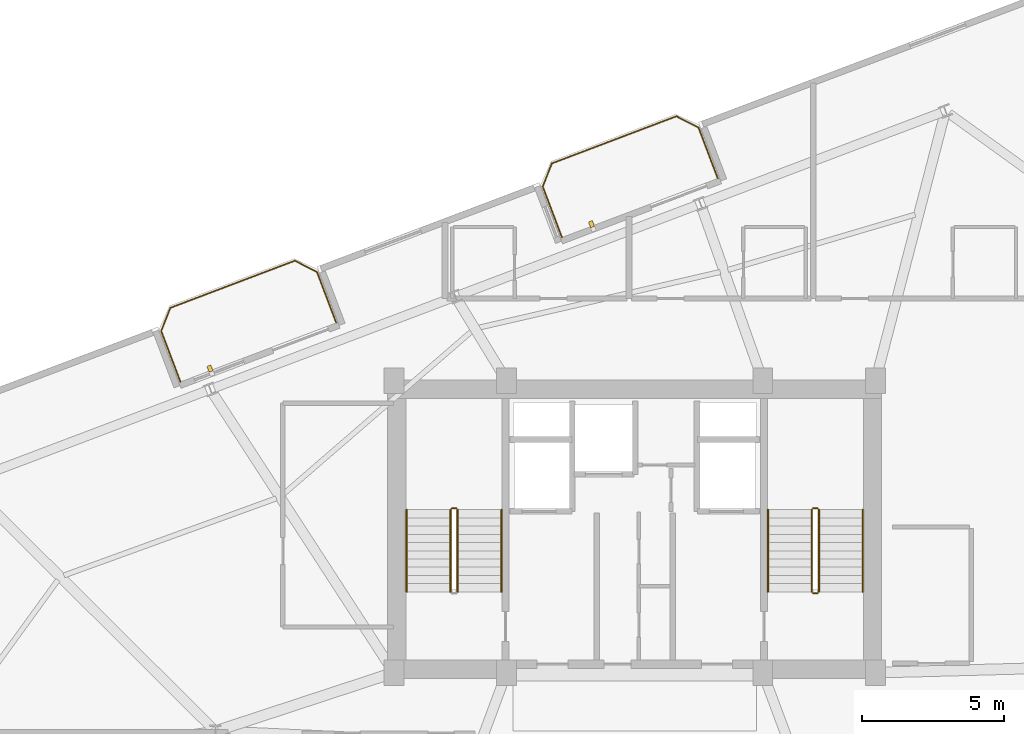
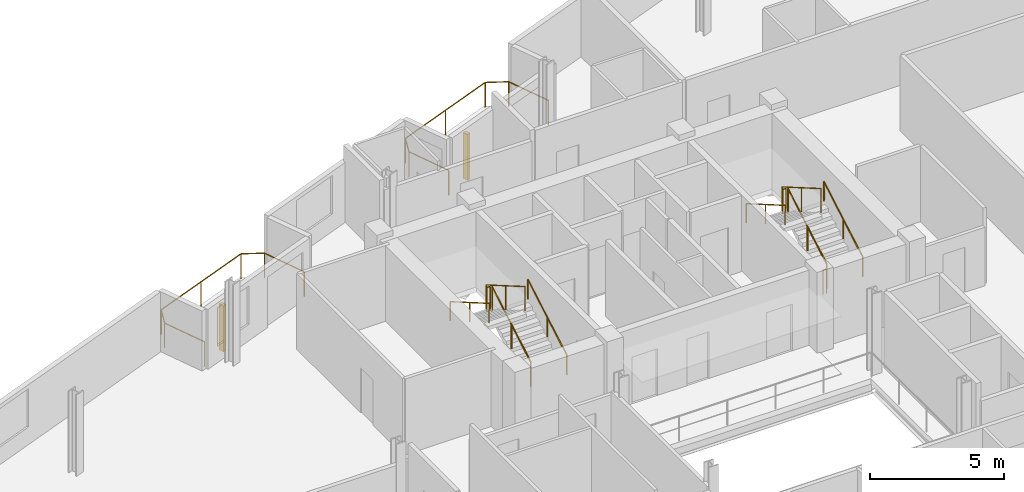
# One storey, part 24 of 24: 13 railings, 2 shading devices.
"""IFC4 building model written with IfcOpenShell, lengths in metres."""

from ifc_helpers import new_model, si_unit, direction, frame, origin, origin_2d, place, context, subcontext, project, spatial, rectangle, circle, extrude, source, transform, mapped, material, type_object, element, save


model = new_model("IFC4")

# Units and contexts
model_context = context("Model", 3, precision=1e-05, world=origin(), true_north=direction((0.0, 1.0)))
body_context = subcontext(model_context, "Body", "Model", "MODEL_VIEW")
ifc_project = project(units=[si_unit("LENGTHUNIT", "METRE"), si_unit("AREAUNIT", "SQUARE_METRE"), si_unit("VOLUMEUNIT", "CUBIC_METRE"), si_unit("PLANEANGLEUNIT", "RADIAN"), si_unit("MASSUNIT", "GRAM", prefix="KILO")], contexts=[model_context])

# Site, building, storey
site_placement = place(None, origin())
site = spatial("IfcSite", under=ifc_project, at=site_placement, CompositionType="ELEMENT")
building_placement = place(site_placement, origin())
building = spatial("IfcBuilding", under=site, at=building_placement, Name="Varnelok Gate Tower", CompositionType="ELEMENT")
storey_placement = place(building_placement, frame((0.0, 0.0, 242.300048828125)))
storey = spatial("IfcBuildingStorey", under=building, at=storey_placement, Name="L62", CompositionType="ELEMENT", Elevation=242.300048828125)

# Railings
ifc_material_1 = material(Name="Low-E Laminated Double Glazing IGU", Category="glass")
railing_type_1 = type_object("IfcRailingType", Name="RL-BALC-1150", PredefinedType="BALUSTRADE", material=ifc_material_1)
railing_1_placement = place(storey_placement, frame((23.166748046875, 39.011474609375, 0.0)))
element("IfcRailing", 1, at=railing_1_placement, inside=storey, type_object=railing_type_1, Name="L62 North Terrace Balustrade 3", PredefinedType="BALUSTRADE", context=body_context, shape_type="SweptSolid", body=[
    extrude(circle(Radius=0.02392578125, at=origin_2d()), frame((0.0, 0.0, 1.1259765625), z_axis=(-0.354159661475, 0.935184973245, 0.0), x_axis=(-0.935184973245, -0.354159661475, 0.0)), (0.0, 0.0, 1.0), 1.919921875),
    extrude(circle(Radius=0.02392578125, at=origin_2d()), frame((-0.679931640625, 1.79541015625, 1.1259765625), z_axis=(0.366495340819, 0.93041988648, 0.0), x_axis=(-0.93041988648, 0.366495340819, 0.0)), (0.0, 0.0, 1.0), 0.8779296875),
    extrude(circle(Radius=0.02392578125, at=origin_2d()), frame((-0.358154296875, 2.6123046875, 1.1259765625), z_axis=(0.935223045203, 0.354059113314, 0.0), x_axis=(-0.354059113314, 0.935223045203, 0.0)), (0.0, 0.0, 1.0), 4.699951171875),
    extrude(circle(Radius=0.02392578125, at=origin_2d()), frame((4.037353515625, 4.2763671875, 1.1259765625), z_axis=(0.89078254773, -0.454429810487, 0.0), x_axis=(0.454429810487, 0.89078254773, 0.0)), (0.0, 0.0, 1.0), 0.8779296875),
    extrude(circle(Radius=0.02392578125, at=origin_2d()), frame((4.8193359375, 3.87744140625, 1.1259765625), z_axis=(0.354006333352, -0.935243025073, 0.0), x_axis=(0.935243025073, 0.354006333352, 0.0)), (0.0, 0.0, 1.0), 1.919921875),
    extrude(circle(Radius=0.02099609375, at=origin_2d()), origin(), (0.0, 0.0, 1.0), 1.101806640625),
    extrude(circle(Radius=0.02099609375, at=origin_2d()), frame((-0.679931640625, 1.79541015625, 0.0)), (0.0, 0.0, 1.0), 1.101806640625),
    extrude(circle(Radius=0.02099609375, at=origin_2d()), frame((-0.358154296875, 2.6123046875, 0.0)), (0.0, 0.0, 1.0), 1.101806640625),
    extrude(circle(Radius=0.02099609375, at=origin_2d()), frame((1.839599609375, 3.4443359375, 0.0)), (0.0, 0.0, 1.0), 1.101806640625),
    extrude(circle(Radius=0.02099609375, at=origin_2d()), frame((4.037353515625, 4.2763671875, 0.0)), (0.0, 0.0, 1.0), 1.101806640625),
    extrude(circle(Radius=0.02099609375, at=origin_2d()), frame((4.8193359375, 3.87744140625, 0.0)), (0.0, 0.0, 1.0), 1.101806640625),
    extrude(circle(Radius=0.02099609375, at=origin_2d()), frame((5.4990234375, 2.081787109375, 0.0)), (0.0, 0.0, 1.0), 1.101806640625),
])
railing_2_placement = place(storey_placement, frame((36.6337890625, 44.10986328125, 0.0)))
element("IfcRailing", 2, at=railing_2_placement, inside=storey, type_object=railing_type_1, Name="L62 North Terrace Balustrade 4", PredefinedType="BALUSTRADE", context=body_context, shape_type="SweptSolid", body=[
    extrude(circle(Radius=0.02392578125, at=origin_2d()), frame((0.0, 0.0, 1.1259765625), z_axis=(-0.354006333352, 0.935243025073, 0.0), x_axis=(-0.935243025073, -0.354006333352, 0.0)), (0.0, 0.0, 1.0), 1.919921875),
    extrude(circle(Radius=0.02392578125, at=origin_2d()), frame((-0.6796875, 1.795654296875, 1.1259765625), z_axis=(0.366254584666, 0.930514685113, 0.0), x_axis=(-0.930514685113, 0.366254584666, 0.0)), (0.0, 0.0, 1.0), 0.8779296875),
    extrude(circle(Radius=0.02392578125, at=origin_2d()), frame((-0.358154296875, 2.612548828125, 1.1259765625), z_axis=(0.935229556479, 0.354041913744, 0.0), x_axis=(-0.354041913744, 0.935229556479, 0.0)), (0.0, 0.0, 1.0), 4.7001953125),
    extrude(circle(Radius=0.02392578125, at=origin_2d()), frame((4.03759765625, 4.276611328125, 1.1259765625), z_axis=(0.890612455555, -0.454763074589, 0.0), x_axis=(0.454763074589, 0.890612455555, 0.0)), (0.0, 0.0, 1.0), 0.877685546875),
    extrude(circle(Radius=0.02392578125, at=origin_2d()), frame((4.8193359375, 3.87744140625, 1.1259765625), z_axis=(0.354159661475, -0.935184973245, 0.0), x_axis=(0.935184973245, 0.354159661475, 0.0)), (0.0, 0.0, 1.0), 1.919921875),
    extrude(circle(Radius=0.02099609375, at=origin_2d()), origin(), (0.0, 0.0, 1.0), 1.101806640625),
    extrude(circle(Radius=0.02099609375, at=origin_2d()), frame((-0.6796875, 1.795654296875, 0.0)), (0.0, 0.0, 1.0), 1.101806640625),
    extrude(circle(Radius=0.02099609375, at=origin_2d()), frame((-0.358154296875, 2.612548828125, 0.0)), (0.0, 0.0, 1.0), 1.101806640625),
    extrude(circle(Radius=0.02099609375, at=origin_2d()), frame((1.83984375, 3.444580078125, 0.0)), (0.0, 0.0, 1.0), 1.101806640625),
    extrude(circle(Radius=0.02099609375, at=origin_2d()), frame((4.03759765625, 4.276611328125, 0.0)), (0.0, 0.0, 1.0), 1.101806640625),
    extrude(circle(Radius=0.02099609375, at=origin_2d()), frame((4.8193359375, 3.87744140625, 0.0)), (0.0, 0.0, 1.0), 1.101806640625),
    extrude(circle(Radius=0.02099609375, at=origin_2d()), frame((5.499267578125, 2.08203125, 0.0)), (0.0, 0.0, 1.0), 1.101806640625),
])
ifc_material_2 = material(Name="Brushed Stainless Steel AISI 316", Category="steel")
railing_type_2 = type_object("IfcRailingType", Name="RL-HANDRAIL-900", PredefinedType="HANDRAIL", material=ifc_material_2)
railing_3_placement = place(storey_placement, frame((34.5, 31.60009765625, 0.168212890625)))
element("IfcRailing", 3, at=railing_3_placement, inside=storey, type_object=railing_type_2, Name="L62 ST-1 stair handrail 1", PredefinedType="HANDRAIL", context=body_context, shape_type="SweptSolid", body=[
    extrude(circle(Radius=0.02392578125, at=origin_2d()), frame((0.0, 0.0, 0.8759765625), z_axis=(0.0, 0.86507038078, 0.501650512107), x_axis=(-1.0, 0.0, 0.0)), (0.0, 0.0, 1.0), 3.352294921875),
    extrude(circle(Radius=0.02099609375, at=origin_2d()), origin(), (0.0, 0.0, 1.0), 0.851806640625),
    extrude(circle(Radius=0.02099609375, at=origin_2d()), frame((0.0, 1.449951171875, 0.8408203125)), (0.0, 0.0, 1.0), 0.851806640625),
    extrude(circle(Radius=0.02099609375, at=origin_2d()), frame((0.0, 2.89990234375, 1.681640625)), (0.0, 0.0, 1.0), 0.851806640625),
])
railing_4_placement = place(storey_placement, frame((31.14990234375, 34.5, 2.01806640625)))
element("IfcRailing", 4, at=railing_4_placement, inside=storey, type_object=railing_type_2, Name="L62 ST-1 stair handrail 2", PredefinedType="HANDRAIL", context=body_context, shape_type="SweptSolid", body=[
    extrude(circle(Radius=0.02392578125, at=origin_2d()), frame((0.0, 0.0, 0.8759765625), z_axis=(0.0, -0.865038774852, 0.501705010941), x_axis=(1.0, 0.0, 0.0)), (0.0, 0.0, 1.0), 3.352294921875),
    extrude(circle(Radius=0.02099609375, at=origin_2d()), origin(), (0.0, 0.0, 1.0), 0.851806640625),
    extrude(circle(Radius=0.02099609375, at=origin_2d()), frame((0.0, -1.449951171875, 0.8408203125)), (0.0, 0.0, 1.0), 0.851806640625),
    extrude(circle(Radius=0.02099609375, at=origin_2d()), frame((0.0, -2.89990234375, 1.681884765625)), (0.0, 0.0, 1.0), 0.851806640625),
])
railing_5_placement = place(storey_placement, frame((47.25, 31.60009765625, 0.168212890625)))
element("IfcRailing", 5, at=railing_5_placement, inside=storey, type_object=railing_type_2, Name="L62 ST-2 stair handrail 1", PredefinedType="HANDRAIL", context=body_context, shape_type="SweptSolid", body=[
    extrude(circle(Radius=0.02392578125, at=origin_2d()), frame((0.0, 0.0, 0.8759765625), z_axis=(0.0, 0.86507038078, 0.501650512107), x_axis=(-1.0, 0.0, 0.0)), (0.0, 0.0, 1.0), 3.352294921875),
    extrude(circle(Radius=0.02099609375, at=origin_2d()), origin(), (0.0, 0.0, 1.0), 0.851806640625),
    extrude(circle(Radius=0.02099609375, at=origin_2d()), frame((0.0, 1.449951171875, 0.8408203125)), (0.0, 0.0, 1.0), 0.851806640625),
    extrude(circle(Radius=0.02099609375, at=origin_2d()), frame((0.0, 2.89990234375, 1.681640625)), (0.0, 0.0, 1.0), 0.851806640625),
])
railing_6_placement = place(storey_placement, frame((43.89990234375, 34.5, 2.01806640625)))
element("IfcRailing", 6, at=railing_6_placement, inside=storey, type_object=railing_type_2, Name="L62 ST-2 stair handrail 2", PredefinedType="HANDRAIL", context=body_context, shape_type="SweptSolid", body=[
    extrude(circle(Radius=0.02392578125, at=origin_2d()), frame((0.0, 0.0, 0.8759765625), z_axis=(0.0, -0.865038774852, 0.501705010941), x_axis=(1.0, 0.0, 0.0)), (0.0, 0.0, 1.0), 3.352294921875),
    extrude(circle(Radius=0.02099609375, at=origin_2d()), origin(), (0.0, 0.0, 1.0), 0.851806640625),
    extrude(circle(Radius=0.02099609375, at=origin_2d()), frame((0.0, -1.449951171875, 0.8408203125)), (0.0, 0.0, 1.0), 0.851806640625),
    extrude(circle(Radius=0.02099609375, at=origin_2d()), frame((0.0, -2.89990234375, 1.681884765625)), (0.0, 0.0, 1.0), 0.851806640625),
])
ifc_material_3 = material(Name="Galvanized Steel Grade S350GD", Category="steel")
railing_type_3 = type_object("IfcRailingType", Name="RL-STAIR-GUARD1120", PredefinedType="GUARDRAIL", material=ifc_material_3)
railing_7_placement = place(storey_placement, frame((32.949951171875, 31.60009765625, 0.168212890625)))
element("IfcRailing", 7, at=railing_7_placement, inside=storey, type_object=railing_type_3, Name="L62 ST-1 stair guard 1", PredefinedType="GUARDRAIL", context=body_context, shape_type="SweptSolid", body=[
    extrude(circle(Radius=0.02392578125, at=origin_2d()), frame((0.0, 0.0, 1.09619140625), z_axis=(0.0, 0.86507038078, 0.501650512107), x_axis=(-1.0, 0.0, 0.0)), (0.0, 0.0, 1.0), 3.352294921875),
    extrude(circle(Radius=0.02099609375, at=origin_2d()), origin(), (0.0, 0.0, 1.0), 1.072021484375),
    extrude(circle(Radius=0.02099609375, at=origin_2d()), frame((0.0, 1.449951171875, 0.8408203125)), (0.0, 0.0, 1.0), 1.072021484375),
    extrude(circle(Radius=0.02099609375, at=origin_2d()), frame((0.0, 2.89990234375, 1.681640625)), (0.0, 0.0, 1.0), 1.072021484375),
])
railing_8_placement = place(storey_placement, frame((32.89990234375, 34.550048828125, 1.849853515625)))
element("IfcRailing", 8, at=railing_8_placement, inside=storey, type_object=railing_type_3, Name="L62 ST-1 stair guard 2", PredefinedType="GUARDRAIL", context=body_context, shape_type="SweptSolid", body=[
    extrude(circle(Radius=0.02392578125, at=origin_2d()), frame((0.0, 0.0, 1.09619140625), z_axis=(-1.0, 0.0, 0.0), x_axis=(0.0, -1.0, 0.0)), (0.0, 0.0, 1.0), 0.14990234375),
    extrude(circle(Radius=0.02099609375, at=origin_2d()), origin(), (0.0, 0.0, 1.0), 1.072021484375),
    extrude(circle(Radius=0.02099609375, at=origin_2d()), frame((-0.14990234375, 0.0, 0.0)), (0.0, 0.0, 1.0), 1.072021484375),
])
railing_9_placement = place(storey_placement, frame((32.699951171875, 34.5, 2.01806640625)))
element("IfcRailing", 9, at=railing_9_placement, inside=storey, type_object=railing_type_3, Name="L62 ST-1 stair guard 3", PredefinedType="GUARDRAIL", context=body_context, shape_type="SweptSolid", body=[
    extrude(circle(Radius=0.02392578125, at=origin_2d()), frame((0.0, 0.0, 1.09619140625), z_axis=(0.0, -0.865038774852, 0.501705010941), x_axis=(1.0, 0.0, 0.0)), (0.0, 0.0, 1.0), 3.352294921875),
    extrude(circle(Radius=0.02099609375, at=origin_2d()), origin(), (0.0, 0.0, 1.0), 1.072021484375),
    extrude(circle(Radius=0.02099609375, at=origin_2d()), frame((0.0, -1.449951171875, 0.8408203125)), (0.0, 0.0, 1.0), 1.072021484375),
    extrude(circle(Radius=0.02099609375, at=origin_2d()), frame((0.0, -2.89990234375, 1.681884765625)), (0.0, 0.0, 1.0), 1.072021484375),
])
railing_10_placement = place(storey_placement, frame((45.699951171875, 31.60009765625, 0.168212890625)))
element("IfcRailing", 10, at=railing_10_placement, inside=storey, type_object=railing_type_3, Name="L62 ST-2 stair guard 1", PredefinedType="GUARDRAIL", context=body_context, shape_type="SweptSolid", body=[
    extrude(circle(Radius=0.02392578125, at=origin_2d()), frame((0.0, 0.0, 1.09619140625), z_axis=(0.0, 0.86507038078, 0.501650512107), x_axis=(-1.0, 0.0, 0.0)), (0.0, 0.0, 1.0), 3.352294921875),
    extrude(circle(Radius=0.02099609375, at=origin_2d()), origin(), (0.0, 0.0, 1.0), 1.072021484375),
    extrude(circle(Radius=0.02099609375, at=origin_2d()), frame((0.0, 1.449951171875, 0.8408203125)), (0.0, 0.0, 1.0), 1.072021484375),
    extrude(circle(Radius=0.02099609375, at=origin_2d()), frame((0.0, 2.89990234375, 1.681640625)), (0.0, 0.0, 1.0), 1.072021484375),
])
railing_11_placement = place(storey_placement, frame((45.64990234375, 34.550048828125, 1.849853515625)))
element("IfcRailing", 11, at=railing_11_placement, inside=storey, type_object=railing_type_3, Name="L62 ST-2 stair guard 2", PredefinedType="GUARDRAIL", context=body_context, shape_type="SweptSolid", body=[
    extrude(circle(Radius=0.02392578125, at=origin_2d()), frame((0.0, 0.0, 1.09619140625), z_axis=(-1.0, 0.0, 0.0), x_axis=(0.0, -1.0, 0.0)), (0.0, 0.0, 1.0), 0.14990234375),
    extrude(circle(Radius=0.02099609375, at=origin_2d()), origin(), (0.0, 0.0, 1.0), 1.072021484375),
    extrude(circle(Radius=0.02099609375, at=origin_2d()), frame((-0.14990234375, 0.0, 0.0)), (0.0, 0.0, 1.0), 1.072021484375),
])
railing_12_placement = place(storey_placement, frame((45.449951171875, 34.5, 2.01806640625)))
element("IfcRailing", 12, at=railing_12_placement, inside=storey, type_object=railing_type_3, Name="L62 ST-2 stair guard 3", PredefinedType="GUARDRAIL", context=body_context, shape_type="SweptSolid", body=[
    extrude(circle(Radius=0.02392578125, at=origin_2d()), frame((0.0, 0.0, 1.09619140625), z_axis=(0.0, -0.865038774852, 0.501705010941), x_axis=(1.0, 0.0, 0.0)), (0.0, 0.0, 1.0), 3.352294921875),
    extrude(circle(Radius=0.02099609375, at=origin_2d()), origin(), (0.0, 0.0, 1.0), 1.072021484375),
    extrude(circle(Radius=0.02099609375, at=origin_2d()), frame((0.0, -1.449951171875, 0.8408203125)), (0.0, 0.0, 1.0), 1.072021484375),
    extrude(circle(Radius=0.02099609375, at=origin_2d()), frame((0.0, -2.89990234375, 1.681884765625)), (0.0, 0.0, 1.0), 1.072021484375),
])
railing_13_placement = place(storey_placement, frame((45.64990234375, 31.550048828125, 0.0)))
element("IfcRailing", 13, at=railing_13_placement, inside=storey, type_object=railing_type_3, Name="L62 ST-2 stair guard 4", PredefinedType="GUARDRAIL", context=body_context, shape_type="SweptSolid", body=[
    extrude(circle(Radius=0.02392578125, at=origin_2d()), frame((0.0, 0.0, 1.09619140625), z_axis=(-1.0, 0.0, 0.0), x_axis=(0.0, -1.0, 0.0)), (0.0, 0.0, 1.0), 0.14990234375),
    extrude(circle(Radius=0.02099609375, at=origin_2d()), origin(), (0.0, 0.0, 1.0), 1.072021484375),
    extrude(circle(Radius=0.02099609375, at=origin_2d()), frame((-0.14990234375, 0.0, 0.0)), (0.0, 0.0, 1.0), 1.072021484375),
])

# Shading devices
ifc_material_4 = material(Name="Glazed Architectural Terracotta Ceramic", Category="masonry")
shading_device_type = type_object("IfcShadingDeviceType", Name="SHD-TERRA-BAGUETTE", PredefinedType="USERDEFINED", material=ifc_material_4)
shared_shape = source(origin(), body_context, "Body", "SweptSolid", [
    extrude(rectangle(XDim=0.139892578125, YDim=0.219970703125, at=origin_2d()), origin(), (0.0, 0.0, 1.0), 2.10009765625),
])
for number, where, z_axis, x_axis, name in (
    (14, (24.2080078125, 39.48046875, 0.099853515625), (0.0, 0.0, 1.0), (0.935221751401, 0.354062530786, 0.0), "L62 Terracotta Ceramic Baguette Sunscreen 3.1"),
    (15, (37.67529296875, 44.5791015625, 0.099853515625), (0.0, 0.0, 1.0), (0.935221751401, 0.354062530786, 0.0), "L62 Terracotta Ceramic Baguette Sunscreen 4.1"),
):
    element("IfcShadingDevice", number, at=place(storey_placement, frame(where, z_axis=z_axis, x_axis=x_axis)), inside=storey, type_object=shading_device_type, Name=name, ObjectType="BAGUETTE", PredefinedType="USERDEFINED", context=body_context, shape_type="MappedRepresentation", body=[
        mapped(shared_shape, transform((0.0, 0.0, 0.0), scale=1.0)),
    ])

save(model, "model.ifc")
